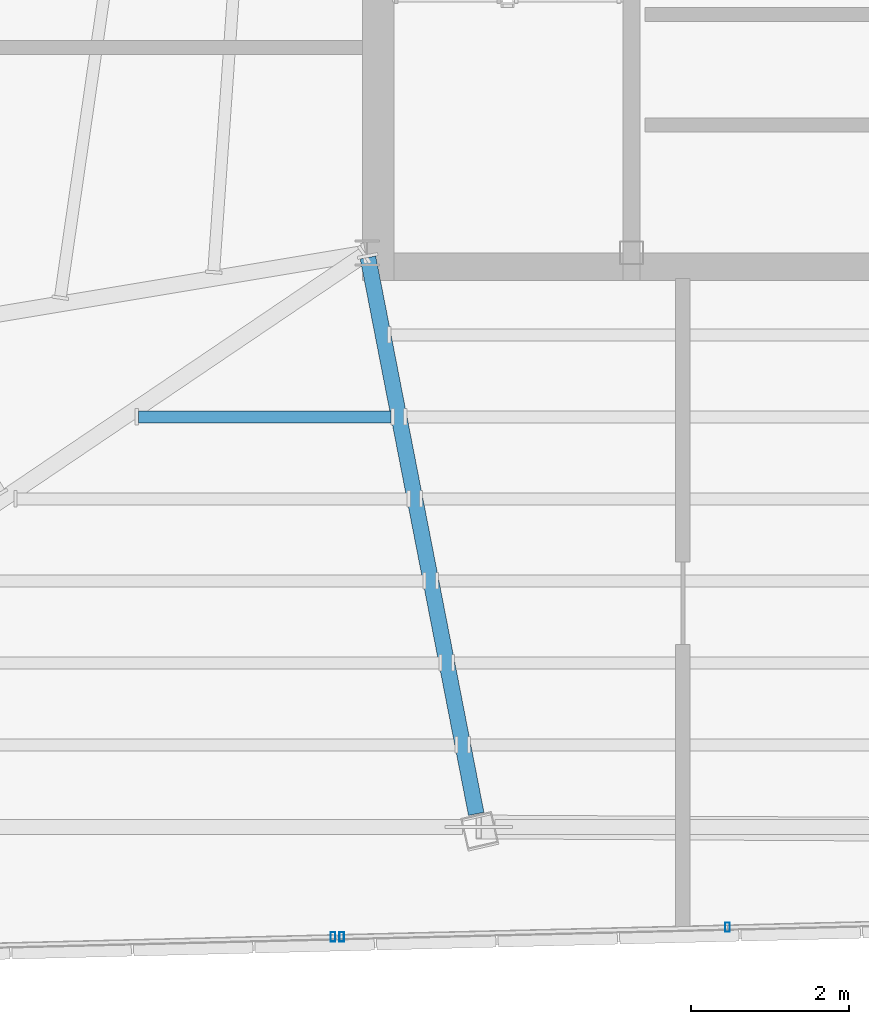
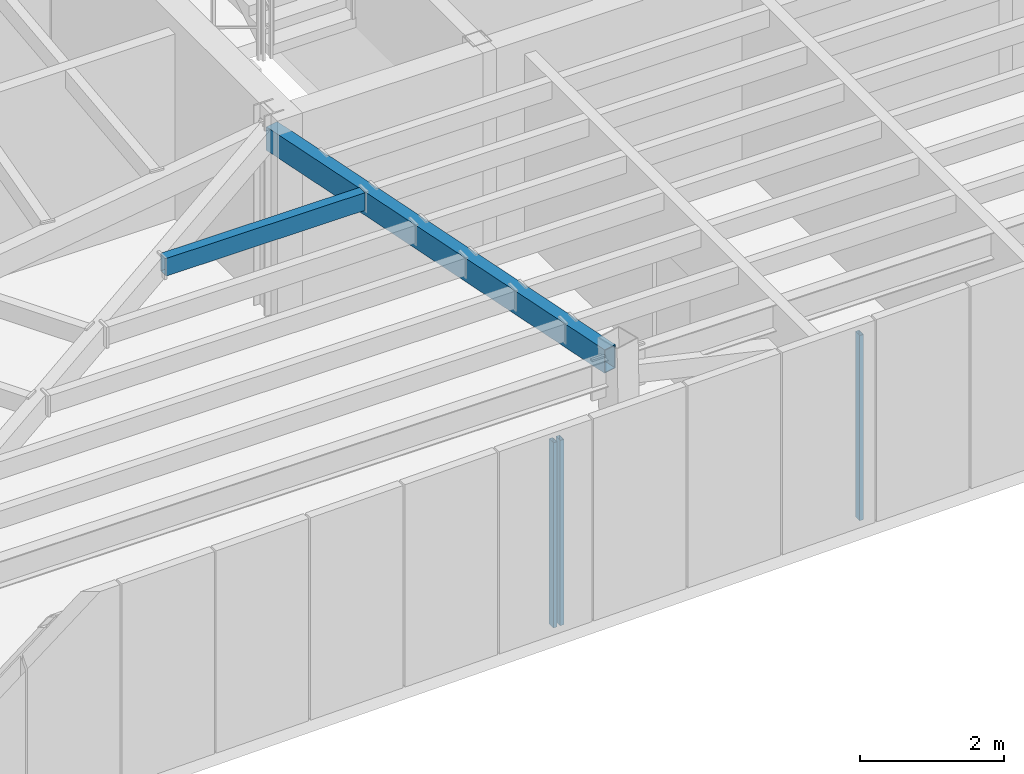
# One storey, part 11 of 47: 3 members, 2 beams, 2 elements without a shape of their own.
"""IFC4 building model written with IfcOpenShell, lengths in metres."""

from ifc_helpers import new_model, si_unit, direction, frame, origin, origin_2d, place, context, subcontext, project, spatial, hollow_rectangle, extrude, source, transform, mapped, material, material_profile, profile_set, type_object, type_shapes, element, aggregate, save


model = new_model("IFC4")

# Units and contexts
model_context = context("Model", 3, precision=1e-05, world=origin(), true_north=direction((0.0, 1.0)))
body_context = subcontext(model_context, "Body", "Model", "MODEL_VIEW")
ifc_project = project(units=[si_unit("LENGTHUNIT", "METRE"), si_unit("AREAUNIT", "SQUARE_METRE"), si_unit("VOLUMEUNIT", "CUBIC_METRE"), si_unit("PLANEANGLEUNIT", "RADIAN"), si_unit("MASSUNIT", "GRAM", prefix="KILO")], contexts=[model_context])

# Site, building, storey
site_placement = place(None, origin())
site = spatial("IfcSite", under=ifc_project, at=site_placement, CompositionType="ELEMENT")
building_placement = place(site_placement, origin())
building = spatial("IfcBuilding", under=site, at=building_placement, Name="Caelisora Broadcast Tower", CompositionType="ELEMENT")
storey_placement = place(building_placement, frame((0.0, 0.0, 293.199951171875)))
storey = spatial("IfcBuildingStorey", under=building, at=storey_placement, Name="L77", CompositionType="ELEMENT", Elevation=293.199951171875)

# Beams
ifc_material_1 = material(Name="Steel Grade 350 (AS/NZS 1163 C350L0)", Category="steel")
ifc_material_profile_1 = material_profile(ifc_material_1, hollow_rectangle(XDim=0.199951171875, YDim=0.39990234375, WallThickness=0.012451171875, at=origin_2d()), Name="Steel Grade 350 (AS/NZS 1163 C350L0)")
ifc_profile_set_1 = profile_set([ifc_material_profile_1], Name="Steel Grade 350 (AS/NZS 1163 C350L0)")
beam_type_1 = type_object("IfcBeamType", Name="PG07", PredefinedType="BEAM", material=ifc_profile_set_1)
shared_shape_1 = source(origin(), body_context, "Body", "SweptSolid", [
    extrude(hollow_rectangle(XDim=0.199951171875, YDim=0.39990234375, WallThickness=0.012451171875, at=origin_2d()), origin(), (0.0, 0.0, 1.0), 7.179931640625),
])
type_shapes(beam_type_1, [shared_shape_1])
beam_1_placement = place(storey_placement, frame((30.511474609375, 17.341064453125, 2.949951171875), z_axis=(0.190993432642, -0.981591314493, 0.0), x_axis=(0.981591314493, 0.190993432642, 0.0)))
element("IfcBeam", 1, at=beam_1_placement, inside=storey, type_object=beam_type_1, Name="L77 beam PG07", PredefinedType="BEAM", context=body_context, shape_type="MappedRepresentation", body=[
    mapped(shared_shape_1, transform((0.0, 0.0, 0.0), scale=1.0)),
])
ifc_material_profile_2 = material_profile(ifc_material_1, hollow_rectangle(XDim=0.14990234375, YDim=0.300048828125, WallThickness=0.010009765625, at=origin_2d()), Name="Steel Grade 350 (AS/NZS 1163 C350L0)")
ifc_profile_set_2 = profile_set([ifc_material_profile_2], Name="Steel Grade 350 (AS/NZS 1163 C350L0)")
beam_type_2 = type_object("IfcBeamType", Name="SB05", PredefinedType="JOIST", material=ifc_profile_set_2)
shared_shape_2 = source(origin(), body_context, "Body", "SweptSolid", [
    extrude(hollow_rectangle(XDim=0.14990234375, YDim=0.300048828125, WallThickness=0.010009765625, at=origin_2d()), origin(), (0.0, 0.0, 1.0), 3.202880859375),
])
type_shapes(beam_type_2, [shared_shape_2])
beam_2_placement = place(storey_placement, frame((27.6025390625, 15.322265625, 3.0), z_axis=(1.0, 0.0, 0.0), x_axis=(0.0, 1.0, 0.0)))
element("IfcBeam", 2, at=beam_2_placement, inside=storey, type_object=beam_type_2, Name="L77 beam SB05", PredefinedType="JOIST", context=body_context, shape_type="MappedRepresentation", body=[
    mapped(shared_shape_2, transform((0.0, 0.0, 0.0), scale=1.0)),
])

# Curtain wall, members
ifc_material_2 = material(Name="Unitised Aluminium Insulated Shadow-Box Spandrel Curtain Wall", Category="aluminium")
curtain_wall_type = type_object("IfcCurtainWallType", Name="CW-SP3", PredefinedType="NOTDEFINED", material=ifc_material_2)
curtain_wall_1_placement = place(storey_placement, origin())
curtain_wall_1 = element("IfcCurtainWall", 3, at=curtain_wall_1_placement, inside=storey, type_object=curtain_wall_type, Name="L77 curtain wall CW-SP3", PredefinedType="NOTDEFINED")
ifc_material_3 = material(Name="Aluminium 6063-T6 Anodised Terracotta Bronze", Category="aluminium")
ifc_material_profile_3 = material_profile(ifc_material_3, hollow_rectangle(XDim=0.06005859375, YDim=0.1201171875, WallThickness=0.0029296875, at=origin_2d()), Name="Aluminium 6063-T6 Anodised Terracotta Bronze")
ifc_profile_set_3 = profile_set([ifc_material_profile_3], Name="Aluminium 6063-T6 Anodised Terracotta Bronze")
member_type = type_object("IfcMemberType", Name="CWM-04", PredefinedType="MULLION", material=ifc_profile_set_3)
shared_shape_3 = source(origin(), body_context, "Body", "SweptSolid", [
    extrude(hollow_rectangle(XDim=0.06005859375, YDim=0.1201171875, WallThickness=0.0029296875, at=origin_2d()), origin(), (0.0, 0.0, 1.0), 3.150146484375),
])
type_shapes(member_type, [shared_shape_3])
member_1_placement = place(storey_placement, frame((35.065673828125, 8.857421875, 0.0), z_axis=(0.0, 0.0, 1.0), x_axis=(1.0, 0.0, 0.0)))
member_1 = element("IfcMember", 4, at=member_1_placement, type_object=member_type, Name="L77-CW-B06 mullion #2", PredefinedType="MULLION", context=body_context, shape_type="MappedRepresentation", body=[
    mapped(shared_shape_3, transform((0.0, 0.0, 0.0), scale=1.0)),
])
member_2_placement = place(storey_placement, frame((30.178955078125, 8.737060546875, 0.0), z_axis=(0.0, 0.0, 1.0), x_axis=(1.0, 0.0, 0.0)))
member_2 = element("IfcMember", 5, at=member_2_placement, type_object=member_type, Name="L77-CW-B06 mullion #3", PredefinedType="MULLION", context=body_context, shape_type="MappedRepresentation", body=[
    mapped(shared_shape_3, transform((0.0, 0.0, 0.0), scale=1.0)),
])
aggregate(curtain_wall_1, [member_1, member_2])

# Curtain wall, member
curtain_wall_2_placement = place(storey_placement, origin())
curtain_wall_2 = element("IfcCurtainWall", 6, at=curtain_wall_2_placement, inside=storey, type_object=curtain_wall_type, Name="L77 curtain wall CW-SP3", PredefinedType="NOTDEFINED")
member_3_placement = place(storey_placement, frame((30.069091796875, 8.734375, 0.0), z_axis=(0.0, 0.0, 1.0), x_axis=(1.0, 0.0, 0.0)))
member_3 = element("IfcMember", 7, at=member_3_placement, type_object=member_type, Name="L77-CW-B07 mullion #0", PredefinedType="MULLION", context=body_context, shape_type="MappedRepresentation", body=[
    mapped(shared_shape_3, transform((0.0, 0.0, 0.0), scale=1.0)),
])
aggregate(curtain_wall_2, [member_3])

save(model, "model.ifc")
